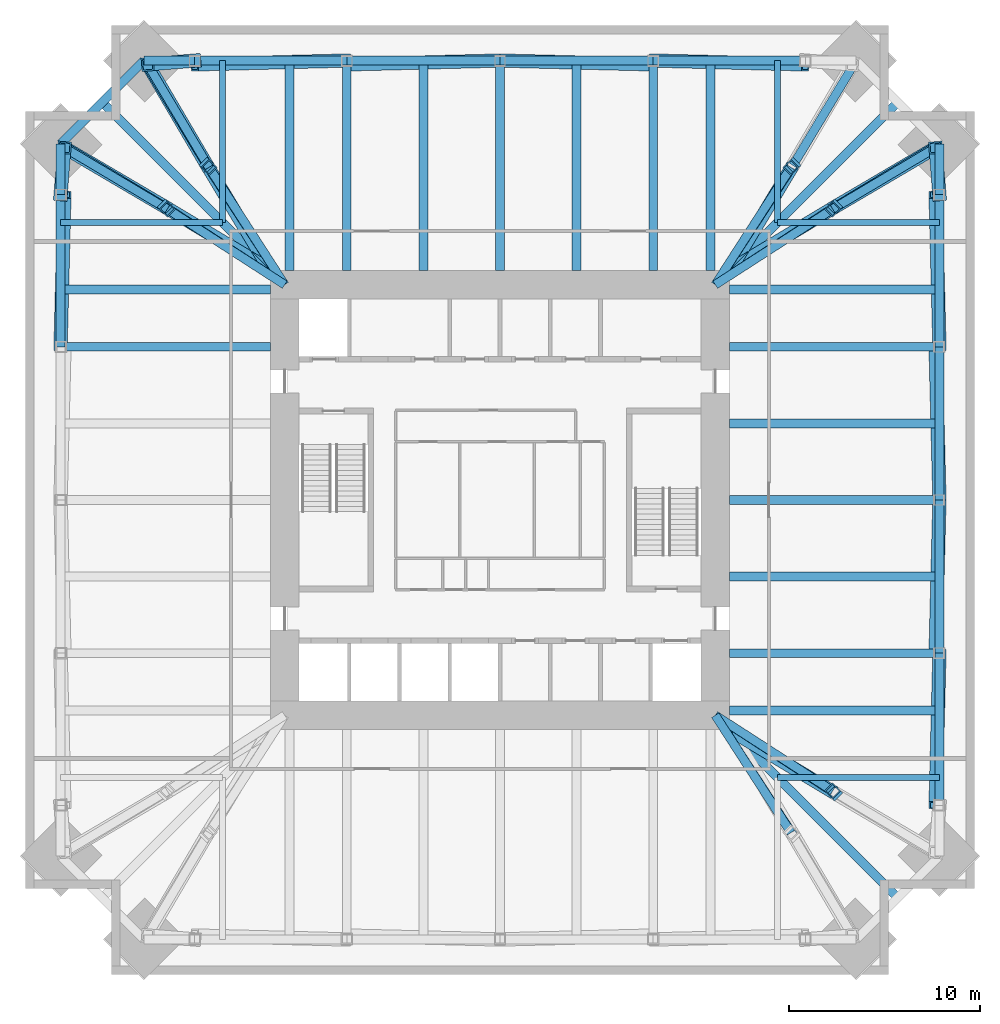
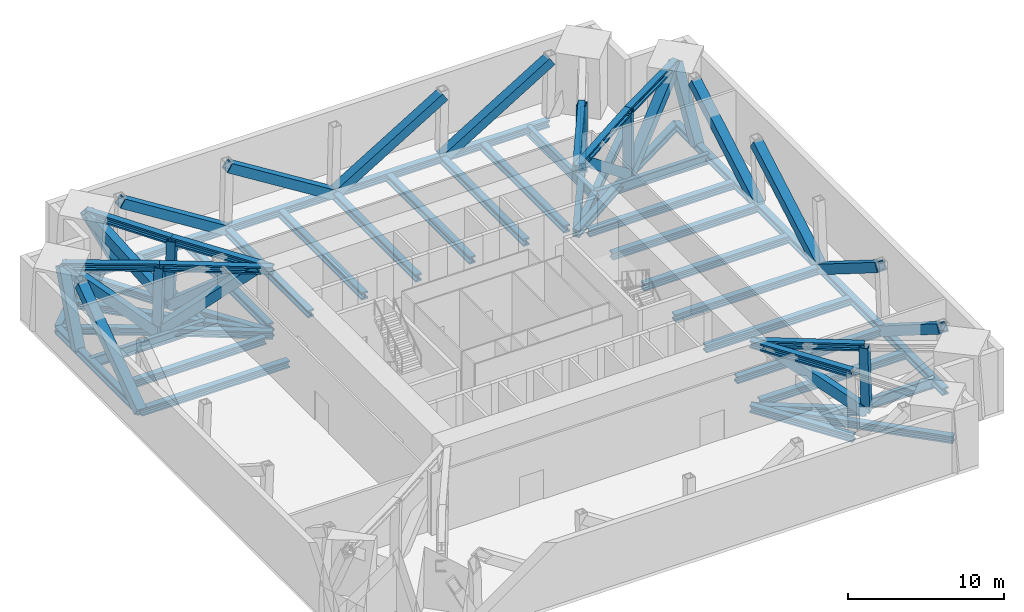
# One storey, part 2 of 6: 56 members, 25 beams.
"""IFC4 building model written with IfcOpenShell, lengths in metres."""

from ifc_helpers import new_model, si_unit, direction, frame, origin, origin_2d, place, context, subcontext, project, spatial, hollow_rectangle, i_section, extrude, material, material_profile, profile_set, type_object, element, save


model = new_model("IFC4")

# Units and contexts
model_context = context("Model", 3, precision=1e-05, world=origin(), true_north=direction((0.0, 1.0)))
body_context = subcontext(model_context, "Body", "Model", "MODEL_VIEW")
ifc_project = project(units=[si_unit("LENGTHUNIT", "METRE"), si_unit("AREAUNIT", "SQUARE_METRE"), si_unit("VOLUMEUNIT", "CUBIC_METRE"), si_unit("PLANEANGLEUNIT", "RADIAN"), si_unit("MASSUNIT", "GRAM", prefix="KILO")], contexts=[model_context])

# Site, building, storey
site_placement = place(None, origin())
site = spatial("IfcSite", under=ifc_project, at=site_placement, CompositionType="ELEMENT")
building_placement = place(site_placement, origin())
building = spatial("IfcBuilding", under=site, at=building_placement, Name="Peilmerk Tower", CompositionType="ELEMENT")
storey_placement = place(building_placement, frame((0.0, 0.0, 196.800048828125)))
storey = spatial("IfcBuildingStorey", under=building, at=storey_placement, Name="L42", CompositionType="ELEMENT", Elevation=196.800048828125)

# Beams
ifc_material = material(Name="Steel S460", Category="steel")
ifc_material_profile_1 = material_profile(ifc_material, i_section(OverallWidth=0.4541015625, OverallDepth=0.569091796875, WebThickness=0.077880859375, FlangeThickness=0.125, at=origin_2d()), Name="HD 400x1086")
ifc_profile_set_1 = profile_set([ifc_material_profile_1], Name="Steel S460")
beam_type_1 = type_object("IfcBeamType", Name="B17 HD 400x1086 edge beam", PredefinedType="SPANDREL", material=ifc_profile_set_1)
beam_placement = place(storey_placement, frame((-22.961181640625, 18.611328125, -0.53466796875), z_axis=(0.707106781187, 0.707106781187, 0.0), x_axis=(-0.707106781187, 0.707106781187, 0.0)))
element("IfcBeam", 1, at=beam_placement, inside=storey, type_object=beam_type_1, Name="Notch beam L42", PredefinedType="SPANDREL", context=body_context, shape_type="SweptSolid", body=[
    extrude(i_section(OverallWidth=0.4541015625, OverallDepth=0.569091796875, WebThickness=0.077880859375, FlangeThickness=0.125, at=origin_2d()), origin(), (0.0, 0.0, 1.0), 6.151611328125),
])
ifc_material_profile_2 = material_profile(ifc_material, i_section(OverallWidth=0.302978515625, OverallDepth=0.81396484375, WebThickness=0.02099609375, FlangeThickness=0.0400390625, at=origin_2d()), Name="HEM 800")
ifc_profile_set_2 = profile_set([ifc_material_profile_2], Name="Steel S460")
beam_type_2 = type_object("IfcBeamType", Name="B26 HEM 800 floor beam", PredefinedType="BEAM", material=ifc_profile_set_2)
for number, where, z_axis, x_axis, name in (
    (2, (14.5, 14.5, -0.656982421875), (0.0, 1.0, 0.0), (-1.0, 0.0, 0.0), "Floor beam L42"),
    (3, (14.5, 14.5, -0.656982421875), (1.0, 0.0, 0.0), (0.0, 1.0, 0.0), "Floor beam L42"),
    (4, (14.5, -14.5, -0.656982421875), (1.0, 0.0, 0.0), (0.0, 1.0, 0.0), "Floor beam L42"),
    (5, (-14.5, 14.5, -0.656982421875), (0.0, 1.0, 0.0), (-1.0, 0.0, 0.0), "Floor beam L42"),
    (6, (-14.5, 14.5, -0.656982421875), (-1.0, 0.0, 0.0), (0.0, -1.0, 0.0), "Floor beam L42"),
):
    element("IfcBeam", number, at=place(storey_placement, frame(where, z_axis=z_axis, x_axis=x_axis)), inside=storey, type_object=beam_type_2, Name=name, PredefinedType="BEAM", context=body_context, shape_type="SweptSolid", body=[
        extrude(i_section(OverallWidth=0.302978515625, OverallDepth=0.81396484375, WebThickness=0.02099609375, FlangeThickness=0.0400390625, at=origin_2d()), origin(), (0.0, 0.0, 1.0), 8.461181640625),
    ])
ifc_material_profile_3 = material_profile(ifc_material, i_section(OverallWidth=0.4541015625, OverallDepth=0.569091796875, WebThickness=0.077880859375, FlangeThickness=0.125, at=origin_2d()), Name="HD 400x1086")
ifc_profile_set_3 = profile_set([ifc_material_profile_3], Name="Steel S460")
beam_type_3 = type_object("IfcBeamType", Name="B9 HD 400x1086 corner girder", PredefinedType="BEAM", material=ifc_profile_set_3)
for number, where, z_axis, x_axis, name in (
    (7, (11.0, 12.0, -0.53466796875), (0.0, 1.0, 0.0), (-1.0, 0.0, 0.0), "Floor beam L42"),
    (8, (8.0, 12.0, -0.53466796875), (0.0, 1.0, 0.0), (-1.0, 0.0, 0.0), "Floor beam L42"),
    (9, (4.0, 12.0, -0.53466796875), (0.0, 1.0, 0.0), (-1.0, 0.0, 0.0), "Floor beam L42"),
    (10, (0.0, 12.0, -0.53466796875), (0.0, 1.0, 0.0), (-1.0, 0.0, 0.0), "Floor beam L42"),
    (11, (-4.0, 12.0, -0.53466796875), (0.0, 1.0, 0.0), (-1.0, 0.0, 0.0), "Floor beam L42"),
    (12, (-8.0, 12.0, -0.53466796875), (0.0, 1.0, 0.0), (-1.0, 0.0, 0.0), "Floor beam L42"),
    (13, (-11.0, 12.0, -0.53466796875), (0.0, 1.0, 0.0), (-1.0, 0.0, 0.0), "Floor beam L42"),
    (14, (12.0, -11.0, -0.53466796875), (1.0, 0.0, 0.0), (0.0, 1.0, 0.0), "Floor beam L42"),
    (15, (12.0, -8.0, -0.53466796875), (1.0, 0.0, 0.0), (0.0, 1.0, 0.0), "Floor beam L42"),
    (16, (12.0, -4.0, -0.53466796875), (1.0, 0.0, 0.0), (0.0, 1.0, 0.0), "Floor beam L42"),
    (17, (12.0, 0.0, -0.53466796875), (1.0, 0.0, 0.0), (0.0, 1.0, 0.0), "Floor beam L42"),
    (18, (12.0, 4.0, -0.53466796875), (1.0, 0.0, 0.0), (0.0, 1.0, 0.0), "Floor beam L42"),
    (19, (12.0, 8.0, -0.53466796875), (1.0, 0.0, 0.0), (0.0, 1.0, 0.0), "Floor beam L42"),
    (20, (12.0, 11.0, -0.53466796875), (1.0, 0.0, 0.0), (0.0, 1.0, 0.0), "Floor beam L42"),
    (21, (-12.0, 11.0, -0.53466796875), (-1.0, 0.0, 0.0), (0.0, -1.0, 0.0), "Floor beam L42"),
    (22, (-12.0, 8.0, -0.53466796875), (-1.0, 0.0, 0.0), (0.0, -1.0, 0.0), "Floor beam L42"),
):
    element("IfcBeam", number, at=place(storey_placement, frame(where, z_axis=z_axis, x_axis=x_axis)), inside=storey, type_object=beam_type_3, Name=name, PredefinedType="BEAM", context=body_context, shape_type="SweptSolid", body=[
        extrude(i_section(OverallWidth=0.4541015625, OverallDepth=0.569091796875, WebThickness=0.077880859375, FlangeThickness=0.125, at=origin_2d()), origin(), (0.0, 0.0, 1.0), 10.961181640625),
    ])
for number, where, z_axis, x_axis, name in (
    (23, (11.25, 11.25, -0.53466796875), (0.707106781187, 0.707106781187, 0.0), (-0.707106781187, 0.707106781187, 0.0), "Corner girder L42"),
    (24, (11.25, -11.25, -0.53466796875), (0.707106781187, -0.707106781187, 0.0), (0.707106781187, 0.707106781187, 0.0), "Corner girder L42"),
    (25, (-11.25, 11.25, -0.53466796875), (-0.707106781187, 0.707106781187, 0.0), (-0.707106781187, -0.707106781187, 0.0), "Corner girder L42"),
):
    element("IfcBeam", number, at=place(storey_placement, frame(where, z_axis=z_axis, x_axis=x_axis)), inside=storey, type_object=beam_type_3, Name=name, PredefinedType="BEAM", context=body_context, shape_type="SweptSolid", body=[
        extrude(i_section(OverallWidth=0.4541015625, OverallDepth=0.569091796875, WebThickness=0.077880859375, FlangeThickness=0.125, at=origin_2d()), origin(), (0.0, 0.0, 1.0), 13.486572265625),
    ])

# Members
ifc_material_profile_4 = material_profile(ifc_material, i_section(OverallWidth=0.4541015625, OverallDepth=0.569091796875, WebThickness=0.077880859375, FlangeThickness=0.125, at=origin_2d()), Name="HD 400x1086")
ifc_profile_set_4 = profile_set([ifc_material_profile_4], Name="Steel S460")
member_type_1 = type_object("IfcMemberType", Name="M1 HD 400x1086 belt truss chord", PredefinedType="CHORD", material=ifc_profile_set_4)
member_1_placement = place(storey_placement, frame((15.949951171875, 22.961181640625, -0.53466796875), z_axis=(-1.0, 0.0, 0.0), x_axis=(0.0, -1.0, 0.0)))
element("IfcMember", 26, at=member_1_placement, inside=storey, type_object=member_type_1, Name="Belt truss chord L42", PredefinedType="CHORD", context=body_context, shape_type="SweptSolid", body=[
    extrude(i_section(OverallWidth=0.4541015625, OverallDepth=0.569091796875, WebThickness=0.077880859375, FlangeThickness=0.125, at=origin_2d()), origin(), (0.0, 0.0, 1.0), 7.949951171875),
])
for number, where, z_axis, x_axis, name in (
    (27, (8.0, 22.961181640625, -0.53466796875), (-1.0, 0.0, 0.0), (0.0, -1.0, 0.0), "Belt truss chord L42"),
    (28, (0.0, 22.961181640625, -0.53466796875), (-1.0, 0.0, 0.0), (0.0, -1.0, 0.0), "Belt truss chord L42"),
):
    element("IfcMember", number, at=place(storey_placement, frame(where, z_axis=z_axis, x_axis=x_axis)), inside=storey, type_object=member_type_1, Name=name, PredefinedType="CHORD", context=body_context, shape_type="SweptSolid", body=[
        extrude(i_section(OverallWidth=0.4541015625, OverallDepth=0.569091796875, WebThickness=0.077880859375, FlangeThickness=0.125, at=origin_2d()), origin(), (0.0, 0.0, 1.0), 8.0),
    ])
member_2_placement = place(storey_placement, frame((-8.0, 22.961181640625, -0.53466796875), z_axis=(-1.0, 0.0, 0.0), x_axis=(0.0, -1.0, 0.0)))
element("IfcMember", 29, at=member_2_placement, inside=storey, type_object=member_type_1, Name="Belt truss chord L42", PredefinedType="CHORD", context=body_context, shape_type="SweptSolid", body=[
    extrude(i_section(OverallWidth=0.4541015625, OverallDepth=0.569091796875, WebThickness=0.077880859375, FlangeThickness=0.125, at=origin_2d()), origin(), (0.0, 0.0, 1.0), 7.949951171875),
])
member_3_placement = place(storey_placement, frame((-15.949951171875, 22.961181640625, -0.53466796875), z_axis=(-1.0, 0.0, 0.0), x_axis=(0.0, -1.0, 0.0)))
element("IfcMember", 30, at=member_3_placement, inside=storey, type_object=member_type_1, Name="Belt truss chord L42", PredefinedType="CHORD", context=body_context, shape_type="SweptSolid", body=[
    extrude(i_section(OverallWidth=0.4541015625, OverallDepth=0.569091796875, WebThickness=0.077880859375, FlangeThickness=0.125, at=origin_2d()), origin(), (0.0, 0.0, 1.0), 2.661376953125),
])
member_4_placement = place(storey_placement, frame((22.961181640625, -15.949951171875, -0.53466796875), z_axis=(0.0, 1.0, 0.0), x_axis=(-1.0, 0.0, 0.0)))
element("IfcMember", 31, at=member_4_placement, inside=storey, type_object=member_type_1, Name="Belt truss chord L42", PredefinedType="CHORD", context=body_context, shape_type="SweptSolid", body=[
    extrude(i_section(OverallWidth=0.4541015625, OverallDepth=0.569091796875, WebThickness=0.077880859375, FlangeThickness=0.125, at=origin_2d()), origin(), (0.0, 0.0, 1.0), 7.949951171875),
])
for number, where, z_axis, x_axis, name in (
    (32, (22.961181640625, -8.0, -0.53466796875), (0.0, 1.0, 0.0), (-1.0, 0.0, 0.0), "Belt truss chord L42"),
    (33, (22.961181640625, 0.0, -0.53466796875), (0.0, 1.0, 0.0), (-1.0, 0.0, 0.0), "Belt truss chord L42"),
):
    element("IfcMember", number, at=place(storey_placement, frame(where, z_axis=z_axis, x_axis=x_axis)), inside=storey, type_object=member_type_1, Name=name, PredefinedType="CHORD", context=body_context, shape_type="SweptSolid", body=[
        extrude(i_section(OverallWidth=0.4541015625, OverallDepth=0.569091796875, WebThickness=0.077880859375, FlangeThickness=0.125, at=origin_2d()), origin(), (0.0, 0.0, 1.0), 8.0),
    ])
member_5_placement = place(storey_placement, frame((22.961181640625, 8.0, -0.53466796875), z_axis=(0.0, 1.0, 0.0), x_axis=(-1.0, 0.0, 0.0)))
element("IfcMember", 34, at=member_5_placement, inside=storey, type_object=member_type_1, Name="Belt truss chord L42", PredefinedType="CHORD", context=body_context, shape_type="SweptSolid", body=[
    extrude(i_section(OverallWidth=0.4541015625, OverallDepth=0.569091796875, WebThickness=0.077880859375, FlangeThickness=0.125, at=origin_2d()), origin(), (0.0, 0.0, 1.0), 7.949951171875),
])
for number, where, z_axis, x_axis, name in (
    (35, (22.961181640625, 15.949951171875, -0.53466796875), (0.0, 1.0, 0.0), (-1.0, 0.0, 0.0), "Belt truss chord L42"),
    (36, (-22.961181640625, 18.611328125, -0.53466796875), (0.0, -1.0, 0.0), (1.0, 0.0, 0.0), "Belt truss chord L42"),
):
    element("IfcMember", number, at=place(storey_placement, frame(where, z_axis=z_axis, x_axis=x_axis)), inside=storey, type_object=member_type_1, Name=name, PredefinedType="CHORD", context=body_context, shape_type="SweptSolid", body=[
        extrude(i_section(OverallWidth=0.4541015625, OverallDepth=0.569091796875, WebThickness=0.077880859375, FlangeThickness=0.125, at=origin_2d()), origin(), (0.0, 0.0, 1.0), 2.661376953125),
    ])
member_6_placement = place(storey_placement, frame((-22.961181640625, 15.949951171875, -0.53466796875), z_axis=(0.0, -1.0, 0.0), x_axis=(1.0, 0.0, 0.0)))
element("IfcMember", 37, at=member_6_placement, inside=storey, type_object=member_type_1, Name="Belt truss chord L42", PredefinedType="CHORD", context=body_context, shape_type="SweptSolid", body=[
    extrude(i_section(OverallWidth=0.4541015625, OverallDepth=0.569091796875, WebThickness=0.077880859375, FlangeThickness=0.125, at=origin_2d()), origin(), (0.0, 0.0, 1.0), 7.949951171875),
])
member_7_placement = place(storey_placement, frame((11.25, 11.25, -0.53466796875), z_axis=(0.838093060424, 0.545527288107, 0.0), x_axis=(-0.545527288107, 0.838093060424, 0.0)))
element("IfcMember", 38, at=member_7_placement, inside=storey, type_object=member_type_1, Name="Outrigger chord T2 NE", PredefinedType="CHORD", context=body_context, shape_type="SweptSolid", body=[
    extrude(i_section(OverallWidth=0.4541015625, OverallDepth=0.569091796875, WebThickness=0.077880859375, FlangeThickness=0.125, at=origin_2d()), origin(), (0.0, 0.0, 1.0), 7.434326171875),
])
member_8_placement = place(storey_placement, frame((17.480712890625, 15.3056640625, -0.53466796875), z_axis=(0.856292379698, 0.516491394383, 0.0), x_axis=(-0.516491394383, 0.856292379698, 0.0)))
element("IfcMember", 39, at=member_8_placement, inside=storey, type_object=member_type_1, Name="Outrigger chord T2 NE", PredefinedType="CHORD", context=body_context, shape_type="SweptSolid", body=[
    extrude(i_section(OverallWidth=0.4541015625, OverallDepth=0.569091796875, WebThickness=0.077880859375, FlangeThickness=0.125, at=origin_2d()), origin(), (0.0, 0.0, 1.0), 6.400146484375),
])
member_9_placement = place(storey_placement, frame((11.25, 11.25, 4.54541015625), z_axis=(0.84029222198, 0.542133730439, 0.0), x_axis=(-0.542133730439, 0.84029222198, 0.0)))
element("IfcMember", 40, at=member_9_placement, inside=storey, type_object=member_type_1, Name="Outrigger chord T2 NE", PredefinedType="CHORD", context=body_context, shape_type="SweptSolid", body=[
    extrude(i_section(OverallWidth=0.4541015625, OverallDepth=0.569091796875, WebThickness=0.077880859375, FlangeThickness=0.125, at=origin_2d()), origin(), (0.0, 0.0, 1.0), 7.294921875),
])
member_10_placement = place(storey_placement, frame((17.3798828125, 15.204833984375, 4.54541015625), z_axis=(0.859115768006, 0.511781298176, 0.0), x_axis=(-0.511781298176, 0.859115768006, 0.0)))
element("IfcMember", 41, at=member_10_placement, inside=storey, type_object=member_type_1, Name="Outrigger chord T2 NE", PredefinedType="CHORD", context=body_context, shape_type="SweptSolid", body=[
    extrude(i_section(OverallWidth=0.4541015625, OverallDepth=0.569091796875, WebThickness=0.077880859375, FlangeThickness=0.125, at=origin_2d()), origin(), (0.0, 0.0, 1.0), 6.26220703125),
])
member_11_placement = place(storey_placement, frame((11.25, 11.25, -0.53466796875), z_axis=(0.545527288107, 0.838093060424, 0.0), x_axis=(-0.838093060424, 0.545527288107, 0.0)))
element("IfcMember", 42, at=member_11_placement, inside=storey, type_object=member_type_1, Name="Outrigger chord T2 NE", PredefinedType="CHORD", context=body_context, shape_type="SweptSolid", body=[
    extrude(i_section(OverallWidth=0.4541015625, OverallDepth=0.569091796875, WebThickness=0.077880859375, FlangeThickness=0.125, at=origin_2d()), origin(), (0.0, 0.0, 1.0), 7.434326171875),
])
member_12_placement = place(storey_placement, frame((15.3056640625, 17.480712890625, -0.53466796875), z_axis=(0.516491394383, 0.856292379698, 0.0), x_axis=(-0.856292379698, 0.516491394383, 0.0)))
element("IfcMember", 43, at=member_12_placement, inside=storey, type_object=member_type_1, Name="Outrigger chord T2 NE", PredefinedType="CHORD", context=body_context, shape_type="SweptSolid", body=[
    extrude(i_section(OverallWidth=0.4541015625, OverallDepth=0.569091796875, WebThickness=0.077880859375, FlangeThickness=0.125, at=origin_2d()), origin(), (0.0, 0.0, 1.0), 6.400146484375),
])
member_13_placement = place(storey_placement, frame((11.25, 11.25, 4.54541015625), z_axis=(0.542133730439, 0.84029222198, 0.0), x_axis=(-0.84029222198, 0.542133730439, 0.0)))
element("IfcMember", 44, at=member_13_placement, inside=storey, type_object=member_type_1, Name="Outrigger chord T2 NE", PredefinedType="CHORD", context=body_context, shape_type="SweptSolid", body=[
    extrude(i_section(OverallWidth=0.4541015625, OverallDepth=0.569091796875, WebThickness=0.077880859375, FlangeThickness=0.125, at=origin_2d()), origin(), (0.0, 0.0, 1.0), 7.294921875),
])
member_14_placement = place(storey_placement, frame((11.25, -11.25, -0.53466796875), z_axis=(0.838093060424, -0.545527288107, 0.0), x_axis=(0.545527288107, 0.838093060424, 0.0)))
element("IfcMember", 45, at=member_14_placement, inside=storey, type_object=member_type_1, Name="Outrigger chord T2 SE", PredefinedType="CHORD", context=body_context, shape_type="SweptSolid", body=[
    extrude(i_section(OverallWidth=0.4541015625, OverallDepth=0.569091796875, WebThickness=0.077880859375, FlangeThickness=0.125, at=origin_2d()), origin(), (0.0, 0.0, 1.0), 7.434326171875),
])
member_15_placement = place(storey_placement, frame((11.25, -11.25, 4.54541015625), z_axis=(0.84029222198, -0.542133730439, 0.0), x_axis=(0.542133730439, 0.84029222198, 0.0)))
element("IfcMember", 46, at=member_15_placement, inside=storey, type_object=member_type_1, Name="Outrigger chord T2 SE", PredefinedType="CHORD", context=body_context, shape_type="SweptSolid", body=[
    extrude(i_section(OverallWidth=0.4541015625, OverallDepth=0.569091796875, WebThickness=0.077880859375, FlangeThickness=0.125, at=origin_2d()), origin(), (0.0, 0.0, 1.0), 7.294921875),
])
member_16_placement = place(storey_placement, frame((11.25, -11.25, -0.53466796875), z_axis=(0.545527288107, -0.838093060424, 0.0), x_axis=(0.838093060424, 0.545527288107, 0.0)))
element("IfcMember", 47, at=member_16_placement, inside=storey, type_object=member_type_1, Name="Outrigger chord T2 SE", PredefinedType="CHORD", context=body_context, shape_type="SweptSolid", body=[
    extrude(i_section(OverallWidth=0.4541015625, OverallDepth=0.569091796875, WebThickness=0.077880859375, FlangeThickness=0.125, at=origin_2d()), origin(), (0.0, 0.0, 1.0), 7.434326171875),
])
member_17_placement = place(storey_placement, frame((11.25, -11.25, 4.54541015625), z_axis=(0.542133730439, -0.84029222198, 0.0), x_axis=(0.84029222198, 0.542133730439, 0.0)))
element("IfcMember", 48, at=member_17_placement, inside=storey, type_object=member_type_1, Name="Outrigger chord T2 SE", PredefinedType="CHORD", context=body_context, shape_type="SweptSolid", body=[
    extrude(i_section(OverallWidth=0.4541015625, OverallDepth=0.569091796875, WebThickness=0.077880859375, FlangeThickness=0.125, at=origin_2d()), origin(), (0.0, 0.0, 1.0), 7.294921875),
])
member_18_placement = place(storey_placement, frame((-11.25, 11.25, -0.53466796875), z_axis=(-0.545527288107, 0.838093060424, 0.0), x_axis=(-0.838093060424, -0.545527288107, 0.0)))
element("IfcMember", 49, at=member_18_placement, inside=storey, type_object=member_type_1, Name="Outrigger chord T2 NW", PredefinedType="CHORD", context=body_context, shape_type="SweptSolid", body=[
    extrude(i_section(OverallWidth=0.4541015625, OverallDepth=0.569091796875, WebThickness=0.077880859375, FlangeThickness=0.125, at=origin_2d()), origin(), (0.0, 0.0, 1.0), 7.434326171875),
])
member_19_placement = place(storey_placement, frame((-15.3056640625, 17.480712890625, -0.53466796875), z_axis=(-0.516491394383, 0.856292379698, 0.0), x_axis=(-0.856292379698, -0.516491394383, 0.0)))
element("IfcMember", 50, at=member_19_placement, inside=storey, type_object=member_type_1, Name="Outrigger chord T2 NW", PredefinedType="CHORD", context=body_context, shape_type="SweptSolid", body=[
    extrude(i_section(OverallWidth=0.4541015625, OverallDepth=0.569091796875, WebThickness=0.077880859375, FlangeThickness=0.125, at=origin_2d()), origin(), (0.0, 0.0, 1.0), 6.400146484375),
])
member_20_placement = place(storey_placement, frame((-11.25, 11.25, 4.54541015625), z_axis=(-0.542133730439, 0.84029222198, 0.0), x_axis=(-0.84029222198, -0.542133730439, 0.0)))
element("IfcMember", 51, at=member_20_placement, inside=storey, type_object=member_type_1, Name="Outrigger chord T2 NW", PredefinedType="CHORD", context=body_context, shape_type="SweptSolid", body=[
    extrude(i_section(OverallWidth=0.4541015625, OverallDepth=0.569091796875, WebThickness=0.077880859375, FlangeThickness=0.125, at=origin_2d()), origin(), (0.0, 0.0, 1.0), 7.294921875),
])
member_21_placement = place(storey_placement, frame((-15.204833984375, 17.3798828125, 4.54541015625), z_axis=(-0.511781298176, 0.859115768006, 0.0), x_axis=(-0.859115768006, -0.511781298176, 0.0)))
element("IfcMember", 52, at=member_21_placement, inside=storey, type_object=member_type_1, Name="Outrigger chord T2 NW", PredefinedType="CHORD", context=body_context, shape_type="SweptSolid", body=[
    extrude(i_section(OverallWidth=0.4541015625, OverallDepth=0.569091796875, WebThickness=0.077880859375, FlangeThickness=0.125, at=origin_2d()), origin(), (0.0, 0.0, 1.0), 6.26220703125),
])
member_22_placement = place(storey_placement, frame((-11.25, 11.25, -0.53466796875), z_axis=(-0.838093060424, 0.545527288107, 0.0), x_axis=(-0.545527288107, -0.838093060424, 0.0)))
element("IfcMember", 53, at=member_22_placement, inside=storey, type_object=member_type_1, Name="Outrigger chord T2 NW", PredefinedType="CHORD", context=body_context, shape_type="SweptSolid", body=[
    extrude(i_section(OverallWidth=0.4541015625, OverallDepth=0.569091796875, WebThickness=0.077880859375, FlangeThickness=0.125, at=origin_2d()), origin(), (0.0, 0.0, 1.0), 7.434326171875),
])
member_23_placement = place(storey_placement, frame((-17.480712890625, 15.3056640625, -0.53466796875), z_axis=(-0.856292379698, 0.516491394383, 0.0), x_axis=(-0.516491394383, -0.856292379698, 0.0)))
element("IfcMember", 54, at=member_23_placement, inside=storey, type_object=member_type_1, Name="Outrigger chord T2 NW", PredefinedType="CHORD", context=body_context, shape_type="SweptSolid", body=[
    extrude(i_section(OverallWidth=0.4541015625, OverallDepth=0.569091796875, WebThickness=0.077880859375, FlangeThickness=0.125, at=origin_2d()), origin(), (0.0, 0.0, 1.0), 6.400146484375),
])
member_24_placement = place(storey_placement, frame((-11.25, 11.25, 4.54541015625), z_axis=(-0.84029222198, 0.542133730439, 0.0), x_axis=(-0.542133730439, -0.84029222198, 0.0)))
element("IfcMember", 55, at=member_24_placement, inside=storey, type_object=member_type_1, Name="Outrigger chord T2 NW", PredefinedType="CHORD", context=body_context, shape_type="SweptSolid", body=[
    extrude(i_section(OverallWidth=0.4541015625, OverallDepth=0.569091796875, WebThickness=0.077880859375, FlangeThickness=0.125, at=origin_2d()), origin(), (0.0, 0.0, 1.0), 7.294921875),
])
member_25_placement = place(storey_placement, frame((-17.3798828125, 15.204833984375, 4.54541015625), z_axis=(-0.859115768006, 0.511781298176, 0.0), x_axis=(-0.511781298176, -0.859115768006, 0.0)))
element("IfcMember", 56, at=member_25_placement, inside=storey, type_object=member_type_1, Name="Outrigger chord T2 NW", PredefinedType="CHORD", context=body_context, shape_type="SweptSolid", body=[
    extrude(i_section(OverallWidth=0.4541015625, OverallDepth=0.569091796875, WebThickness=0.077880859375, FlangeThickness=0.125, at=origin_2d()), origin(), (0.0, 0.0, 1.0), 6.26220703125),
])
ifc_material_profile_5 = material_profile(ifc_material, hollow_rectangle(XDim=0.60009765625, YDim=0.60009765625, WallThickness=0.06005859375, at=origin_2d()), Name="BOX 600x600x60")
ifc_profile_set_5 = profile_set([ifc_material_profile_5], Name="Steel S460")
member_type_2 = type_object("IfcMemberType", Name="M3 BOX 600x600x60 outrigger post", PredefinedType="POST", material=ifc_profile_set_5)
for number, where, z_axis, x_axis, name in (
    (57, (17.480712890625, 15.3056640625, -0.53466796875), (-0.019840320807, -0.019840320807, 0.999606284164), (0.707106781187, -0.707106781187, 0.0), "Outrigger post T2 NE"),
    (58, (15.3056640625, 17.480712890625, -0.53466796875), (-0.019840320807, -0.019840320807, 0.999606284164), (0.707106781187, -0.707106781187, 0.0), "Outrigger post T2 NE"),
    (59, (17.480712890625, -15.3056640625, -0.53466796875), (-0.019840320807, 0.019840320807, 0.999606284164), (-0.707106781187, -0.707106781187, 0.0), "Outrigger post T2 SE"),
    (60, (-15.3056640625, 17.480712890625, -0.53466796875), (0.019840320807, -0.019840320807, 0.999606284164), (0.707106781187, 0.707106781187, 0.0), "Outrigger post T2 NW"),
    (61, (-17.480712890625, 15.3056640625, -0.53466796875), (0.019840320807, -0.019840320807, 0.999606284164), (0.707106781187, 0.707106781187, 0.0), "Outrigger post T2 NW"),
):
    element("IfcMember", number, at=place(storey_placement, frame(where, z_axis=z_axis, x_axis=x_axis)), inside=storey, type_object=member_type_2, Name=name, PredefinedType="POST", context=body_context, shape_type="SweptSolid", body=[
        extrude(hollow_rectangle(XDim=0.60009765625, YDim=0.60009765625, WallThickness=0.06005859375, at=origin_2d()), origin(), (0.0, 0.0, 1.0), 5.08203125),
    ])
ifc_material_profile_6 = material_profile(ifc_material, hollow_rectangle(XDim=0.699951171875, YDim=0.699951171875, WallThickness=0.080078125, at=origin_2d()), Name="BOX 700x700x80")
ifc_profile_set_6 = profile_set([ifc_material_profile_6], Name="Steel S460")
member_type_3 = type_object("IfcMemberType", Name="M4 BOX 700x700x80 outrigger diagonal", PredefinedType="BRACE", material=ifc_profile_set_6)
member_26_placement = place(storey_placement, frame((8.0, 22.961181640625, -0.53466796875), z_axis=(0.842458959259, -0.021344121899, 0.538337561781), x_axis=(0.025327376123, 0.999679210556, 0.0)))
element("IfcMember", 62, at=member_26_placement, inside=storey, type_object=member_type_3, Name="Belt truss diagonal T2 N", PredefinedType="BRACE", context=body_context, shape_type="SweptSolid", body=[
    extrude(hollow_rectangle(XDim=0.699951171875, YDim=0.699951171875, WallThickness=0.080078125, at=origin_2d()), origin(), (0.0, 0.0, 1.0), 9.4365234375),
])
for number, where, z_axis, x_axis, name in (
    (63, (0.0, 22.961181640625, -0.53466796875), (0.843988161096, -0.02124909158, 0.535940724368), (0.025169026128, 0.999683209884, 0.0), "Belt truss diagonal T2 N"),
    (64, (0.0, 22.961181640625, -0.53466796875), (-0.843988161096, -0.02124909158, 0.535940724368), (0.025169026128, -0.999683209884, 0.0), "Belt truss diagonal T2 N"),
):
    element("IfcMember", number, at=place(storey_placement, frame(where, z_axis=z_axis, x_axis=x_axis)), inside=storey, type_object=member_type_3, Name=name, PredefinedType="BRACE", context=body_context, shape_type="SweptSolid", body=[
        extrude(hollow_rectangle(XDim=0.699951171875, YDim=0.699951171875, WallThickness=0.080078125, at=origin_2d()), origin(), (0.0, 0.0, 1.0), 9.478759765625),
    ])
member_27_placement = place(storey_placement, frame((-8.0, 22.961181640625, -0.53466796875), z_axis=(-0.842458959259, -0.021344121899, 0.538337561781), x_axis=(0.025327376123, -0.999679210556, 0.0)))
element("IfcMember", 65, at=member_27_placement, inside=storey, type_object=member_type_3, Name="Belt truss diagonal T2 N", PredefinedType="BRACE", context=body_context, shape_type="SweptSolid", body=[
    extrude(hollow_rectangle(XDim=0.699951171875, YDim=0.699951171875, WallThickness=0.080078125, at=origin_2d()), origin(), (0.0, 0.0, 1.0), 9.4365234375),
])
member_28_placement = place(storey_placement, frame((-15.949951171875, 22.961181640625, -0.53466796875), z_axis=(-0.435515475554, -0.035662557552, 0.899474542465), x_axis=(0.081612694689, -0.996664119985, 0.0)))
element("IfcMember", 66, at=member_28_placement, inside=storey, type_object=member_type_3, Name="Belt truss diagonal T2 N", PredefinedType="BRACE", context=body_context, shape_type="SweptSolid", body=[
    extrude(hollow_rectangle(XDim=0.699951171875, YDim=0.699951171875, WallThickness=0.080078125, at=origin_2d()), origin(), (0.0, 0.0, 1.0), 5.64794921875),
])
member_29_placement = place(storey_placement, frame((22.961181640625, -8.0, -0.53466796875), z_axis=(-0.021344121899, -0.842458959259, 0.538337561781), x_axis=(0.999679210556, -0.025327376123, 0.0)))
element("IfcMember", 67, at=member_29_placement, inside=storey, type_object=member_type_3, Name="Belt truss diagonal T2 E", PredefinedType="BRACE", context=body_context, shape_type="SweptSolid", body=[
    extrude(hollow_rectangle(XDim=0.699951171875, YDim=0.699951171875, WallThickness=0.080078125, at=origin_2d()), origin(), (0.0, 0.0, 1.0), 9.4365234375),
])
for number, where, z_axis, x_axis, name in (
    (68, (22.961181640625, 0.0, -0.53466796875), (-0.02124909158, -0.843988161096, 0.535940724368), (0.999683209884, -0.025169026128, 0.0), "Belt truss diagonal T2 E"),
    (69, (22.961181640625, 0.0, -0.53466796875), (-0.02124909158, 0.843988161096, 0.535940724368), (-0.999683209884, -0.025169026128, 0.0), "Belt truss diagonal T2 E"),
):
    element("IfcMember", number, at=place(storey_placement, frame(where, z_axis=z_axis, x_axis=x_axis)), inside=storey, type_object=member_type_3, Name=name, PredefinedType="BRACE", context=body_context, shape_type="SweptSolid", body=[
        extrude(hollow_rectangle(XDim=0.699951171875, YDim=0.699951171875, WallThickness=0.080078125, at=origin_2d()), origin(), (0.0, 0.0, 1.0), 9.478759765625),
    ])
member_30_placement = place(storey_placement, frame((22.961181640625, 8.0, -0.53466796875), z_axis=(-0.021344121899, 0.842458959259, 0.538337561781), x_axis=(-0.999679210556, -0.025327376123, 0.0)))
element("IfcMember", 70, at=member_30_placement, inside=storey, type_object=member_type_3, Name="Belt truss diagonal T2 E", PredefinedType="BRACE", context=body_context, shape_type="SweptSolid", body=[
    extrude(hollow_rectangle(XDim=0.699951171875, YDim=0.699951171875, WallThickness=0.080078125, at=origin_2d()), origin(), (0.0, 0.0, 1.0), 9.4365234375),
])
for number, where, z_axis, x_axis, name in (
    (71, (22.961181640625, 15.949951171875, -0.53466796875), (-0.035662557552, 0.435515475554, 0.899474542465), (-0.996664119985, -0.081612694689, 0.0), "Belt truss diagonal T2 E"),
    (72, (-22.961181640625, 15.949951171875, -0.53466796875), (0.035662557552, 0.435515475554, 0.899474542465), (-0.996664119985, 0.081612694689, 0.0), "Belt truss diagonal T2 W"),
):
    element("IfcMember", number, at=place(storey_placement, frame(where, z_axis=z_axis, x_axis=x_axis)), inside=storey, type_object=member_type_3, Name=name, PredefinedType="BRACE", context=body_context, shape_type="SweptSolid", body=[
        extrude(hollow_rectangle(XDim=0.699951171875, YDim=0.699951171875, WallThickness=0.080078125, at=origin_2d()), origin(), (0.0, 0.0, 1.0), 5.64794921875),
    ])
member_31_placement = place(storey_placement, frame((-22.961181640625, 8.0, -0.53466796875), z_axis=(0.021344121899, 0.842458959259, 0.538337561781), x_axis=(-0.999679210556, 0.025327376123, 0.0)))
element("IfcMember", 73, at=member_31_placement, inside=storey, type_object=member_type_3, Name="Belt truss diagonal T2 W", PredefinedType="BRACE", context=body_context, shape_type="SweptSolid", body=[
    extrude(hollow_rectangle(XDim=0.699951171875, YDim=0.699951171875, WallThickness=0.080078125, at=origin_2d()), origin(), (0.0, 0.0, 1.0), 9.4365234375),
])
member_32_placement = place(storey_placement, frame((17.480712890625, 15.3056640625, -0.53466796875), z_axis=(-0.67071371185, -0.404537558842, 0.621685193825), x_axis=(0.51647452427, -0.856302555047, 0.0)))
element("IfcMember", 74, at=member_32_placement, inside=storey, type_object=member_type_3, Name="Outrigger diagonal T2", PredefinedType="BRACE", context=body_context, shape_type="SweptSolid", body=[
    extrude(hollow_rectangle(XDim=0.699951171875, YDim=0.699951171875, WallThickness=0.080078125, at=origin_2d()), origin(), (0.0, 0.0, 1.0), 8.17138671875),
])
member_33_placement = place(storey_placement, frame((17.480712890625, 15.3056640625, -0.53466796875), z_axis=(0.663465527535, 0.390107788794, 0.638458617997), x_axis=(-0.506859832821, 0.862028485534, 0.0)))
element("IfcMember", 75, at=member_33_placement, inside=storey, type_object=member_type_3, Name="Outrigger diagonal T2", PredefinedType="BRACE", context=body_context, shape_type="SweptSolid", body=[
    extrude(hollow_rectangle(XDim=0.699951171875, YDim=0.699951171875, WallThickness=0.080078125, at=origin_2d()), origin(), (0.0, 0.0, 1.0), 7.956787109375),
])
for number, where, z_axis, x_axis, name in (
    (76, (15.3056640625, 17.480712890625, -0.53466796875), (-0.404537558842, -0.67071371185, 0.621685193825), (0.856302555047, -0.51647452427, 0.0), "Outrigger diagonal T2"),
    (77, (17.480712890625, -15.3056640625, -0.53466796875), (-0.67071371185, 0.404537558842, 0.621685193825), (-0.51647452427, -0.856302555047, 0.0), "Outrigger diagonal T2"),
    (78, (-15.3056640625, 17.480712890625, -0.53466796875), (0.404537558842, -0.67071371185, 0.621685193825), (0.856302555047, 0.51647452427, 0.0), "Outrigger diagonal T2"),
):
    element("IfcMember", number, at=place(storey_placement, frame(where, z_axis=z_axis, x_axis=x_axis)), inside=storey, type_object=member_type_3, Name=name, PredefinedType="BRACE", context=body_context, shape_type="SweptSolid", body=[
        extrude(hollow_rectangle(XDim=0.699951171875, YDim=0.699951171875, WallThickness=0.080078125, at=origin_2d()), origin(), (0.0, 0.0, 1.0), 8.17138671875),
    ])
member_34_placement = place(storey_placement, frame((-15.3056640625, 17.480712890625, -0.53466796875), z_axis=(-0.390107788794, 0.663465527535, 0.638458617997), x_axis=(-0.862028485534, -0.506859832821, 0.0)))
element("IfcMember", 79, at=member_34_placement, inside=storey, type_object=member_type_3, Name="Outrigger diagonal T2", PredefinedType="BRACE", context=body_context, shape_type="SweptSolid", body=[
    extrude(hollow_rectangle(XDim=0.699951171875, YDim=0.699951171875, WallThickness=0.080078125, at=origin_2d()), origin(), (0.0, 0.0, 1.0), 7.956787109375),
])
member_35_placement = place(storey_placement, frame((-17.480712890625, 15.3056640625, -0.53466796875), z_axis=(0.67071371185, -0.404537558842, 0.621685193825), x_axis=(0.51647452427, 0.856302555047, 0.0)))
element("IfcMember", 80, at=member_35_placement, inside=storey, type_object=member_type_3, Name="Outrigger diagonal T2", PredefinedType="BRACE", context=body_context, shape_type="SweptSolid", body=[
    extrude(hollow_rectangle(XDim=0.699951171875, YDim=0.699951171875, WallThickness=0.080078125, at=origin_2d()), origin(), (0.0, 0.0, 1.0), 8.17138671875),
])
member_36_placement = place(storey_placement, frame((-17.480712890625, 15.3056640625, -0.53466796875), z_axis=(-0.663465527535, 0.390107788794, 0.638458617997), x_axis=(-0.506859832821, -0.862028485534, 0.0)))
element("IfcMember", 81, at=member_36_placement, inside=storey, type_object=member_type_3, Name="Outrigger diagonal T2", PredefinedType="BRACE", context=body_context, shape_type="SweptSolid", body=[
    extrude(hollow_rectangle(XDim=0.699951171875, YDim=0.699951171875, WallThickness=0.080078125, at=origin_2d()), origin(), (0.0, 0.0, 1.0), 7.956787109375),
])

save(model, "model.ifc")
